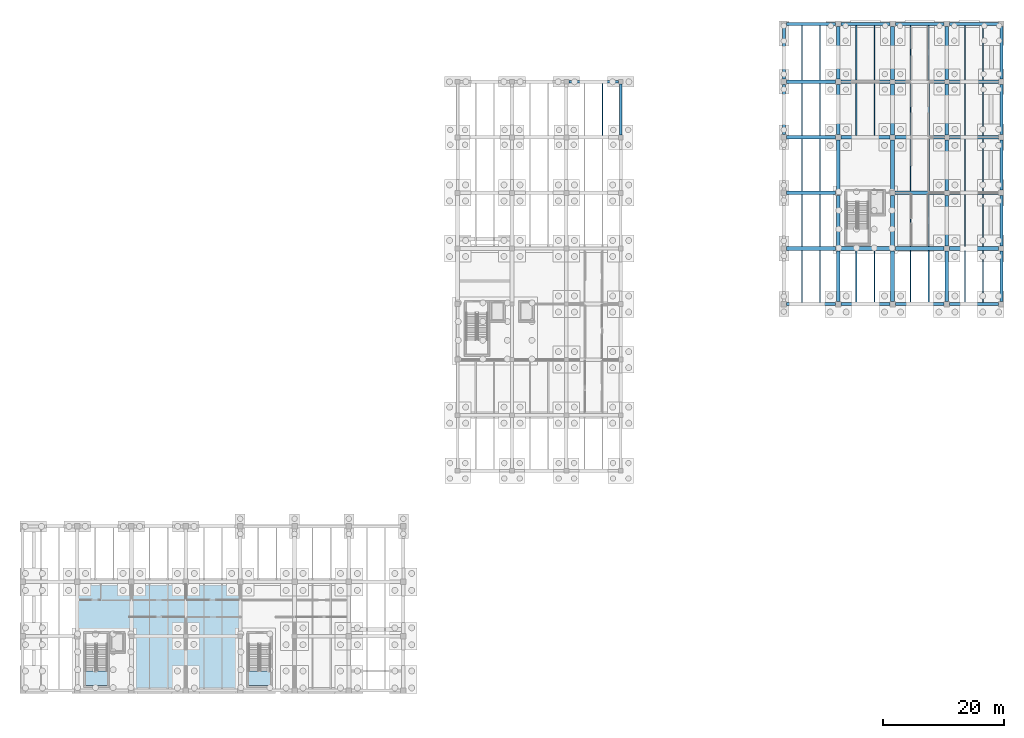
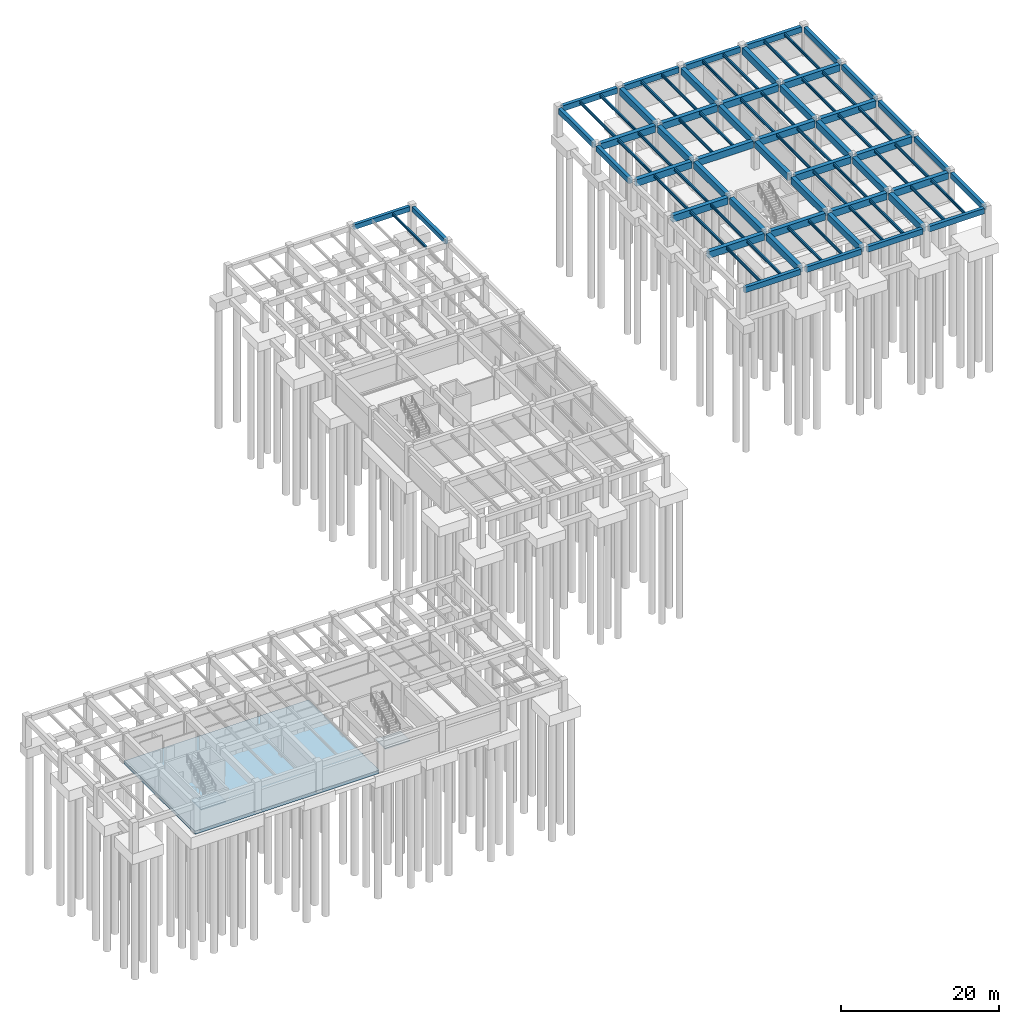
# One storey, part 7 of 16: 84 beams, 3 slabs, 2 elements without a shape of their own.
"""IFC4 building model written with IfcOpenShell, lengths in metres."""

from ifc_helpers import new_model, si_unit, direction, frame, origin, origin_2d, place, context, subcontext, project, spatial, polyline, rectangle, i_section, outline, extrude, material, layer, layer_set, material_profile, profile_set, type_object, element, aggregate, save


model = new_model("IFC4")

# Units and contexts
model_context = context("Model", 3, precision=1e-05, world=origin(), true_north=direction((0.0, 1.0)))
body_context = subcontext(model_context, "Body", "Model", "MODEL_VIEW")
ifc_project = project(units=[si_unit("LENGTHUNIT", "METRE"), si_unit("AREAUNIT", "SQUARE_METRE"), si_unit("VOLUMEUNIT", "CUBIC_METRE"), si_unit("PLANEANGLEUNIT", "RADIAN"), si_unit("MASSUNIT", "GRAM", prefix="KILO")], contexts=[model_context])

# Site, building, storey
site_placement = place(None, origin())
site = spatial("IfcSite", under=ifc_project, at=site_placement, CompositionType="ELEMENT")
building_placement = place(site_placement, origin())
building = spatial("IfcBuilding", under=site, at=building_placement, Name="Bozkorgan Art Gallery", CompositionType="ELEMENT")
storey_placement = place(building_placement, frame((0.0, 0.0, -4.800048828125)))
storey = spatial("IfcBuildingStorey", under=building, at=storey_placement, Name="B1", CompositionType="ELEMENT", Elevation=-4.800048828125)

# Beams
ifc_material_1 = material(Name="Concrete C35/45", Category="concrete")
ifc_material_profile_1 = material_profile(ifc_material_1, rectangle(XDim=0.60009765625, YDim=1.050048828125, at=origin_2d()), Name="RC 600x1050")
ifc_profile_set_1 = profile_set([ifc_material_profile_1], Name="Concrete C35/45")
beam_type_1 = type_object("IfcBeamType", Name="BEAM-BM-25", PredefinedType="BEAM", material=ifc_profile_set_1)
for number, where, z_axis, x_axis, name in (
    (1, (128.449951171875, 75.199951171875, 3.955078125), (1.0, 0.0, 0.0), (0.0, 1.0, 0.0), "V5 B1 beam X (128-137, 75.2)"),
    (2, (137.449951171875, 75.199951171875, 3.955078125), (1.0, 0.0, 0.0), (0.0, 1.0, 0.0), "V5 B1 beam X (137-146, 75.2)"),
    (3, (146.449951171875, 75.199951171875, 3.955078125), (1.0, 0.0, 0.0), (0.0, 1.0, 0.0), "V5 B1 beam X (146-155, 75.2)"),
    (4, (155.449951171875, 75.199951171875, 3.955078125), (1.0, 0.0, 0.0), (0.0, 1.0, 0.0), "V5 B1 beam X (155-164, 75.2)"),
    (5, (128.449951171875, 84.39990234375, 3.955078125), (1.0, 0.0, 0.0), (0.0, 1.0, 0.0), "V5 B1 beam X (128-137, 84.4)"),
):
    element("IfcBeam", number, at=place(storey_placement, frame(where, z_axis=z_axis, x_axis=x_axis)), inside=storey, type_object=beam_type_1, Name=name, PredefinedType="BEAM", context=body_context, shape_type="SweptSolid", body=[
        extrude(rectangle(XDim=0.60009765625, YDim=1.050048828125, at=origin_2d()), origin(), (0.0, 0.0, 1.0), 8.10009765625),
    ])
beam_1_placement = place(storey_placement, frame((146.39990234375, 84.39990234375, 3.955078125), z_axis=(1.0, 0.0, 0.0), x_axis=(0.0, 1.0, 0.0)))
element("IfcBeam", 6, at=beam_1_placement, inside=storey, type_object=beam_type_1, Name="V5 B1 beam X (146-155, 84.4)", PredefinedType="BEAM", context=body_context, shape_type="SweptSolid", body=[
    extrude(rectangle(XDim=0.60009765625, YDim=1.050048828125, at=origin_2d()), origin(), (0.0, 0.0, 1.0), 8.2001953125),
])
beam_2_placement = place(storey_placement, frame((155.39990234375, 84.39990234375, 3.955078125), z_axis=(1.0, 0.0, 0.0), x_axis=(0.0, 1.0, 0.0)))
element("IfcBeam", 7, at=beam_2_placement, inside=storey, type_object=beam_type_1, Name="V5 B1 beam X (155-164, 84.4)", PredefinedType="BEAM", context=body_context, shape_type="SweptSolid", body=[
    extrude(rectangle(XDim=0.60009765625, YDim=1.050048828125, at=origin_2d()), origin(), (0.0, 0.0, 1.0), 8.150146484375),
])
beam_3_placement = place(storey_placement, frame((128.449951171875, 93.60009765625, 3.955078125), z_axis=(1.0, 0.0, 0.0), x_axis=(0.0, 1.0, 0.0)))
element("IfcBeam", 8, at=beam_3_placement, inside=storey, type_object=beam_type_1, Name="V5 B1 beam X (128-137, 93.6)", PredefinedType="BEAM", context=body_context, shape_type="SweptSolid", body=[
    extrude(rectangle(XDim=0.60009765625, YDim=1.050048828125, at=origin_2d()), origin(), (0.0, 0.0, 1.0), 8.10009765625),
])
beam_4_placement = place(storey_placement, frame((137.449951171875, 93.60009765625, 3.955078125), z_axis=(1.0, 0.0, 0.0), x_axis=(0.0, 1.0, 0.0)))
element("IfcBeam", 9, at=beam_4_placement, inside=storey, type_object=beam_type_1, Name="V5 B1 beam X (137-146, 93.6)", PredefinedType="BEAM", context=body_context, shape_type="SweptSolid", body=[
    extrude(rectangle(XDim=0.60009765625, YDim=1.050048828125, at=origin_2d()), origin(), (0.0, 0.0, 1.0), 8.150146484375),
])
beam_5_placement = place(storey_placement, frame((146.39990234375, 93.60009765625, 3.955078125), z_axis=(1.0, 0.0, 0.0), x_axis=(0.0, 1.0, 0.0)))
element("IfcBeam", 10, at=beam_5_placement, inside=storey, type_object=beam_type_1, Name="V5 B1 beam X (146-155, 93.6)", PredefinedType="BEAM", context=body_context, shape_type="SweptSolid", body=[
    extrude(rectangle(XDim=0.60009765625, YDim=1.050048828125, at=origin_2d()), origin(), (0.0, 0.0, 1.0), 8.2001953125),
])
beam_6_placement = place(storey_placement, frame((155.39990234375, 93.60009765625, 3.955078125), z_axis=(1.0, 0.0, 0.0), x_axis=(0.0, 1.0, 0.0)))
element("IfcBeam", 11, at=beam_6_placement, inside=storey, type_object=beam_type_1, Name="V5 B1 beam X (155-164, 93.6)", PredefinedType="BEAM", context=body_context, shape_type="SweptSolid", body=[
    extrude(rectangle(XDim=0.60009765625, YDim=1.050048828125, at=origin_2d()), origin(), (0.0, 0.0, 1.0), 8.150146484375),
])
beam_7_placement = place(storey_placement, frame((128.449951171875, 102.800048828125, 3.955078125), z_axis=(1.0, 0.0, 0.0), x_axis=(0.0, 1.0, 0.0)))
element("IfcBeam", 12, at=beam_7_placement, inside=storey, type_object=beam_type_1, Name="V5 B1 beam X (128-137, 102.8)", PredefinedType="BEAM", context=body_context, shape_type="SweptSolid", body=[
    extrude(rectangle(XDim=0.60009765625, YDim=1.050048828125, at=origin_2d()), origin(), (0.0, 0.0, 1.0), 8.10009765625),
])
beam_8_placement = place(storey_placement, frame((137.449951171875, 102.800048828125, 3.955078125), z_axis=(1.0, 0.0, 0.0), x_axis=(0.0, 1.0, 0.0)))
element("IfcBeam", 13, at=beam_8_placement, inside=storey, type_object=beam_type_1, Name="V5 B1 beam X (137-146, 102.8)", PredefinedType="BEAM", context=body_context, shape_type="SweptSolid", body=[
    extrude(rectangle(XDim=0.60009765625, YDim=1.050048828125, at=origin_2d()), origin(), (0.0, 0.0, 1.0), 8.150146484375),
])
beam_9_placement = place(storey_placement, frame((146.39990234375, 102.800048828125, 3.955078125), z_axis=(1.0, 0.0, 0.0), x_axis=(0.0, 1.0, 0.0)))
element("IfcBeam", 14, at=beam_9_placement, inside=storey, type_object=beam_type_1, Name="V5 B1 beam X (146-155, 102.8)", PredefinedType="BEAM", context=body_context, shape_type="SweptSolid", body=[
    extrude(rectangle(XDim=0.60009765625, YDim=1.050048828125, at=origin_2d()), origin(), (0.0, 0.0, 1.0), 8.2001953125),
])
beam_10_placement = place(storey_placement, frame((155.39990234375, 102.800048828125, 3.955078125), z_axis=(1.0, 0.0, 0.0), x_axis=(0.0, 1.0, 0.0)))
element("IfcBeam", 15, at=beam_10_placement, inside=storey, type_object=beam_type_1, Name="V5 B1 beam X (155-164, 102.8)", PredefinedType="BEAM", context=body_context, shape_type="SweptSolid", body=[
    extrude(rectangle(XDim=0.60009765625, YDim=1.050048828125, at=origin_2d()), origin(), (0.0, 0.0, 1.0), 8.150146484375),
])
for number, where, z_axis, x_axis, name in (
    (16, (137.0, 66.449951171875, 3.955078125), (0.0, 1.0, 0.0), (-1.0, 0.0, 0.0), "V5 B1 beam Y (137, 66.0-75.2)"),
    (17, (137.0, 75.64990234375, 3.955078125), (0.0, 1.0, 0.0), (-1.0, 0.0, 0.0), "V5 B1 beam Y (137, 75.2-84.4)"),
):
    element("IfcBeam", number, at=place(storey_placement, frame(where, z_axis=z_axis, x_axis=x_axis)), inside=storey, type_object=beam_type_1, Name=name, PredefinedType="BEAM", context=body_context, shape_type="SweptSolid", body=[
        extrude(rectangle(XDim=0.60009765625, YDim=1.050048828125, at=origin_2d()), origin(), (0.0, 0.0, 1.0), 8.300048828125),
    ])
beam_11_placement = place(storey_placement, frame((137.0, 84.85009765625, 3.955078125), z_axis=(0.0, 1.0, 0.0), x_axis=(-1.0, 0.0, 0.0)))
element("IfcBeam", 18, at=beam_11_placement, inside=storey, type_object=beam_type_1, Name="V5 B1 beam Y (137, 84.4-93.6)", PredefinedType="BEAM", context=body_context, shape_type="SweptSolid", body=[
    extrude(rectangle(XDim=0.60009765625, YDim=1.050048828125, at=origin_2d()), origin(), (0.0, 0.0, 1.0), 8.2998046875),
])
beam_12_placement = place(storey_placement, frame((137.0, 94.050048828125, 3.955078125), z_axis=(0.0, 1.0, 0.0), x_axis=(-1.0, 0.0, 0.0)))
element("IfcBeam", 19, at=beam_12_placement, inside=storey, type_object=beam_type_1, Name="V5 B1 beam Y (137, 93.6-102.8)", PredefinedType="BEAM", context=body_context, shape_type="SweptSolid", body=[
    extrude(rectangle(XDim=0.60009765625, YDim=1.050048828125, at=origin_2d()), origin(), (0.0, 0.0, 1.0), 8.300048828125),
])
beam_13_placement = place(storey_placement, frame((137.0, 103.25, 3.955078125), z_axis=(0.0, 1.0, 0.0), x_axis=(-1.0, 0.0, 0.0)))
element("IfcBeam", 20, at=beam_13_placement, inside=storey, type_object=beam_type_1, Name="V5 B1 beam Y (137, 102.8-112.4)", PredefinedType="BEAM", context=body_context, shape_type="SweptSolid", body=[
    extrude(rectangle(XDim=0.60009765625, YDim=1.050048828125, at=origin_2d()), origin(), (0.0, 0.0, 1.0), 8.699951171875),
])
beam_14_placement = place(storey_placement, frame((146.0, 66.449951171875, 3.955078125), z_axis=(0.0, 1.0, 0.0), x_axis=(-1.0, 0.0, 0.0)))
element("IfcBeam", 21, at=beam_14_placement, inside=storey, type_object=beam_type_1, Name="V5 B1 beam Y (146, 66.0-75.2)", PredefinedType="BEAM", context=body_context, shape_type="SweptSolid", body=[
    extrude(rectangle(XDim=0.60009765625, YDim=1.050048828125, at=origin_2d()), origin(), (0.0, 0.0, 1.0), 8.300048828125),
])
beam_15_placement = place(storey_placement, frame((146.0, 75.64990234375, 3.955078125), z_axis=(0.0, 1.0, 0.0), x_axis=(-1.0, 0.0, 0.0)))
element("IfcBeam", 22, at=beam_15_placement, inside=storey, type_object=beam_type_1, Name="V5 B1 beam Y (146, 75.2-84.4)", PredefinedType="BEAM", context=body_context, shape_type="SweptSolid", body=[
    extrude(rectangle(XDim=0.60009765625, YDim=1.050048828125, at=origin_2d()), origin(), (0.0, 0.0, 1.0), 8.35009765625),
])
for number, where, z_axis, x_axis, name in (
    (23, (146.0, 84.800048828125, 3.955078125), (0.0, 1.0, 0.0), (-1.0, 0.0, 0.0), "V5 B1 beam Y (146, 84.4-93.6)"),
    (24, (146.0, 94.0, 3.955078125), (0.0, 1.0, 0.0), (-1.0, 0.0, 0.0), "V5 B1 beam Y (146, 93.6-102.8)"),
):
    element("IfcBeam", number, at=place(storey_placement, frame(where, z_axis=z_axis, x_axis=x_axis)), inside=storey, type_object=beam_type_1, Name=name, PredefinedType="BEAM", context=body_context, shape_type="SweptSolid", body=[
        extrude(rectangle(XDim=0.60009765625, YDim=1.050048828125, at=origin_2d()), origin(), (0.0, 0.0, 1.0), 8.39990234375),
    ])
beam_16_placement = place(storey_placement, frame((146.0, 103.199951171875, 3.955078125), z_axis=(0.0, 1.0, 0.0), x_axis=(-1.0, 0.0, 0.0)))
element("IfcBeam", 25, at=beam_16_placement, inside=storey, type_object=beam_type_1, Name="V5 B1 beam Y (146, 102.8-112.4)", PredefinedType="BEAM", context=body_context, shape_type="SweptSolid", body=[
    extrude(rectangle(XDim=0.60009765625, YDim=1.050048828125, at=origin_2d()), origin(), (0.0, 0.0, 1.0), 8.75),
])
beam_17_placement = place(storey_placement, frame((155.0, 66.449951171875, 3.955078125), z_axis=(0.0, 1.0, 0.0), x_axis=(-1.0, 0.0, 0.0)))
element("IfcBeam", 26, at=beam_17_placement, inside=storey, type_object=beam_type_1, Name="V5 B1 beam Y (155, 66.0-75.2)", PredefinedType="BEAM", context=body_context, shape_type="SweptSolid", body=[
    extrude(rectangle(XDim=0.60009765625, YDim=1.050048828125, at=origin_2d()), origin(), (0.0, 0.0, 1.0), 8.300048828125),
])
beam_18_placement = place(storey_placement, frame((155.0, 75.64990234375, 3.955078125), z_axis=(0.0, 1.0, 0.0), x_axis=(-1.0, 0.0, 0.0)))
element("IfcBeam", 27, at=beam_18_placement, inside=storey, type_object=beam_type_1, Name="V5 B1 beam Y (155, 75.2-84.4)", PredefinedType="BEAM", context=body_context, shape_type="SweptSolid", body=[
    extrude(rectangle(XDim=0.60009765625, YDim=1.050048828125, at=origin_2d()), origin(), (0.0, 0.0, 1.0), 8.35009765625),
])
for number, where, z_axis, x_axis, name in (
    (28, (155.0, 84.800048828125, 3.955078125), (0.0, 1.0, 0.0), (-1.0, 0.0, 0.0), "V5 B1 beam Y (155, 84.4-93.6)"),
    (29, (155.0, 94.0, 3.955078125), (0.0, 1.0, 0.0), (-1.0, 0.0, 0.0), "V5 B1 beam Y (155, 93.6-102.8)"),
):
    element("IfcBeam", number, at=place(storey_placement, frame(where, z_axis=z_axis, x_axis=x_axis)), inside=storey, type_object=beam_type_1, Name=name, PredefinedType="BEAM", context=body_context, shape_type="SweptSolid", body=[
        extrude(rectangle(XDim=0.60009765625, YDim=1.050048828125, at=origin_2d()), origin(), (0.0, 0.0, 1.0), 8.39990234375),
    ])
beam_19_placement = place(storey_placement, frame((155.0, 103.199951171875, 3.955078125), z_axis=(0.0, 1.0, 0.0), x_axis=(-1.0, 0.0, 0.0)))
element("IfcBeam", 30, at=beam_19_placement, inside=storey, type_object=beam_type_1, Name="V5 B1 beam Y (155, 102.8-112.4)", PredefinedType="BEAM", context=body_context, shape_type="SweptSolid", body=[
    extrude(rectangle(XDim=0.60009765625, YDim=1.050048828125, at=origin_2d()), origin(), (0.0, 0.0, 1.0), 8.75),
])
ifc_material_2 = material(Name="Steel S355J2", Category="steel")
ifc_material_profile_2 = material_profile(ifc_material_2, i_section(OverallWidth=0.18994140625, OverallDepth=0.449951171875, WebThickness=0.009521484375, FlangeThickness=0.0146484375, FilletRadius=0.02099609375, at=origin_2d()), Name="IPE 450")
ifc_profile_set_2 = profile_set([ifc_material_profile_2], Name="Steel S355J2")
beam_type_2 = type_object("IfcBeamType", Name="BEAM-JS-56", PredefinedType="JOIST", material=ifc_profile_set_2)
for number, where, z_axis, x_axis, name in (
    (31, (131.0, 66.25, 4.255126953125), (0.0, 1.0, 0.0), (-1.0, 0.0, 0.0), "V5 B1 secondary joist (128-137, 66.0-75.2) #1"),
    (32, (134.0, 66.25, 4.255126953125), (0.0, 1.0, 0.0), (-1.0, 0.0, 0.0), "V5 B1 secondary joist (128-137, 66.0-75.2) #2"),
):
    element("IfcBeam", number, at=place(storey_placement, frame(where, z_axis=z_axis, x_axis=x_axis)), inside=storey, type_object=beam_type_2, Name=name, PredefinedType="JOIST", context=body_context, shape_type="SweptSolid", body=[
        extrude(i_section(OverallWidth=0.18994140625, OverallDepth=0.449951171875, WebThickness=0.009521484375, FlangeThickness=0.0146484375, FilletRadius=0.02099609375, at=origin_2d()), origin(), (0.0, 0.0, 1.0), 8.64990234375),
    ])
for number, where, z_axis, x_axis, name in (
    (33, (131.0, 75.5, 4.255126953125), (0.0, 1.0, 0.0), (-1.0, 0.0, 0.0), "V5 B1 secondary joist (128-137, 75.2-84.4) #1"),
    (34, (134.0, 75.5, 4.255126953125), (0.0, 1.0, 0.0), (-1.0, 0.0, 0.0), "V5 B1 secondary joist (128-137, 75.2-84.4) #2"),
    (35, (131.0, 84.699951171875, 4.255126953125), (0.0, 1.0, 0.0), (-1.0, 0.0, 0.0), "V5 B1 secondary joist (128-137, 84.4-93.6) #1"),
    (36, (134.0, 84.699951171875, 4.255126953125), (0.0, 1.0, 0.0), (-1.0, 0.0, 0.0), "V5 B1 secondary joist (128-137, 84.4-93.6) #2"),
    (37, (131.0, 93.89990234375, 4.255126953125), (0.0, 1.0, 0.0), (-1.0, 0.0, 0.0), "V5 B1 secondary joist (128-137, 93.6-102.8) #1"),
    (38, (134.0, 93.89990234375, 4.255126953125), (0.0, 1.0, 0.0), (-1.0, 0.0, 0.0), "V5 B1 secondary joist (128-137, 93.6-102.8) #2"),
):
    element("IfcBeam", number, at=place(storey_placement, frame(where, z_axis=z_axis, x_axis=x_axis)), inside=storey, type_object=beam_type_2, Name=name, PredefinedType="JOIST", context=body_context, shape_type="SweptSolid", body=[
        extrude(i_section(OverallWidth=0.18994140625, OverallDepth=0.449951171875, WebThickness=0.009521484375, FlangeThickness=0.0146484375, FilletRadius=0.02099609375, at=origin_2d()), origin(), (0.0, 0.0, 1.0), 8.60009765625),
    ])
for number, where, z_axis, x_axis, name in (
    (39, (131.0, 103.10009765625, 4.255126953125), (0.0, 1.0, 0.0), (-1.0, 0.0, 0.0), "V5 B1 secondary joist (128-137, 102.8-112.4) #1"),
    (40, (134.0, 103.10009765625, 4.255126953125), (0.0, 1.0, 0.0), (-1.0, 0.0, 0.0), "V5 B1 secondary joist (128-137, 102.8-112.4) #2"),
):
    element("IfcBeam", number, at=place(storey_placement, frame(where, z_axis=z_axis, x_axis=x_axis)), inside=storey, type_object=beam_type_2, Name=name, PredefinedType="JOIST", context=body_context, shape_type="SweptSolid", body=[
        extrude(i_section(OverallWidth=0.18994140625, OverallDepth=0.449951171875, WebThickness=0.009521484375, FlangeThickness=0.0146484375, FilletRadius=0.02099609375, at=origin_2d()), origin(), (0.0, 0.0, 1.0), 9.0498046875),
    ])
for number, where, z_axis, x_axis, name in (
    (41, (140.0, 66.25, 4.255126953125), (0.0, 1.0, 0.0), (-1.0, 0.0, 0.0), "V5 B1 secondary joist (137-146, 66.0-75.2) #1"),
    (42, (143.0, 66.25, 4.255126953125), (0.0, 1.0, 0.0), (-1.0, 0.0, 0.0), "V5 B1 secondary joist (137-146, 66.0-75.2) #2"),
):
    element("IfcBeam", number, at=place(storey_placement, frame(where, z_axis=z_axis, x_axis=x_axis)), inside=storey, type_object=beam_type_2, Name=name, PredefinedType="JOIST", context=body_context, shape_type="SweptSolid", body=[
        extrude(i_section(OverallWidth=0.18994140625, OverallDepth=0.449951171875, WebThickness=0.009521484375, FlangeThickness=0.0146484375, FilletRadius=0.02099609375, at=origin_2d()), origin(), (0.0, 0.0, 1.0), 8.64990234375),
    ])
for number, where, z_axis, x_axis, name in (
    (43, (140.0, 93.89990234375, 4.255126953125), (0.0, 1.0, 0.0), (-1.0, 0.0, 0.0), "V5 B1 secondary joist (137-146, 93.6-102.8) #1"),
    (44, (143.0, 93.89990234375, 4.255126953125), (0.0, 1.0, 0.0), (-1.0, 0.0, 0.0), "V5 B1 secondary joist (137-146, 93.6-102.8) #2"),
):
    element("IfcBeam", number, at=place(storey_placement, frame(where, z_axis=z_axis, x_axis=x_axis)), inside=storey, type_object=beam_type_2, Name=name, PredefinedType="JOIST", context=body_context, shape_type="SweptSolid", body=[
        extrude(i_section(OverallWidth=0.18994140625, OverallDepth=0.449951171875, WebThickness=0.009521484375, FlangeThickness=0.0146484375, FilletRadius=0.02099609375, at=origin_2d()), origin(), (0.0, 0.0, 1.0), 8.60009765625),
    ])
for number, where, z_axis, x_axis, name in (
    (45, (140.0, 103.10009765625, 4.255126953125), (0.0, 1.0, 0.0), (-1.0, 0.0, 0.0), "V5 B1 secondary joist (137-146, 102.8-112.4) #1"),
    (46, (143.0, 103.10009765625, 4.255126953125), (0.0, 1.0, 0.0), (-1.0, 0.0, 0.0), "V5 B1 secondary joist (137-146, 102.8-112.4) #2"),
):
    element("IfcBeam", number, at=place(storey_placement, frame(where, z_axis=z_axis, x_axis=x_axis)), inside=storey, type_object=beam_type_2, Name=name, PredefinedType="JOIST", context=body_context, shape_type="SweptSolid", body=[
        extrude(i_section(OverallWidth=0.18994140625, OverallDepth=0.449951171875, WebThickness=0.009521484375, FlangeThickness=0.0146484375, FilletRadius=0.02099609375, at=origin_2d()), origin(), (0.0, 0.0, 1.0), 9.0498046875),
    ])
for number, where, z_axis, x_axis, name in (
    (47, (149.0, 66.25, 4.255126953125), (0.0, 1.0, 0.0), (-1.0, 0.0, 0.0), "V5 B1 secondary joist (146-155, 66.0-75.2) #1"),
    (48, (152.0, 66.25, 4.255126953125), (0.0, 1.0, 0.0), (-1.0, 0.0, 0.0), "V5 B1 secondary joist (146-155, 66.0-75.2) #2"),
):
    element("IfcBeam", number, at=place(storey_placement, frame(where, z_axis=z_axis, x_axis=x_axis)), inside=storey, type_object=beam_type_2, Name=name, PredefinedType="JOIST", context=body_context, shape_type="SweptSolid", body=[
        extrude(i_section(OverallWidth=0.18994140625, OverallDepth=0.449951171875, WebThickness=0.009521484375, FlangeThickness=0.0146484375, FilletRadius=0.02099609375, at=origin_2d()), origin(), (0.0, 0.0, 1.0), 8.64990234375),
    ])
for number, where, z_axis, x_axis, name in (
    (49, (149.0, 75.5, 4.255126953125), (0.0, 1.0, 0.0), (-1.0, 0.0, 0.0), "V5 B1 secondary joist (146-155, 75.2-84.4) #1"),
    (50, (152.0, 75.5, 4.255126953125), (0.0, 1.0, 0.0), (-1.0, 0.0, 0.0), "V5 B1 secondary joist (146-155, 75.2-84.4) #2"),
    (51, (149.0, 84.699951171875, 4.255126953125), (0.0, 1.0, 0.0), (-1.0, 0.0, 0.0), "V5 B1 secondary joist (146-155, 84.4-93.6) #1"),
    (52, (152.0, 84.699951171875, 4.255126953125), (0.0, 1.0, 0.0), (-1.0, 0.0, 0.0), "V5 B1 secondary joist (146-155, 84.4-93.6) #2"),
    (53, (149.0, 93.89990234375, 4.255126953125), (0.0, 1.0, 0.0), (-1.0, 0.0, 0.0), "V5 B1 secondary joist (146-155, 93.6-102.8) #1"),
    (54, (152.0, 93.89990234375, 4.255126953125), (0.0, 1.0, 0.0), (-1.0, 0.0, 0.0), "V5 B1 secondary joist (146-155, 93.6-102.8) #2"),
):
    element("IfcBeam", number, at=place(storey_placement, frame(where, z_axis=z_axis, x_axis=x_axis)), inside=storey, type_object=beam_type_2, Name=name, PredefinedType="JOIST", context=body_context, shape_type="SweptSolid", body=[
        extrude(i_section(OverallWidth=0.18994140625, OverallDepth=0.449951171875, WebThickness=0.009521484375, FlangeThickness=0.0146484375, FilletRadius=0.02099609375, at=origin_2d()), origin(), (0.0, 0.0, 1.0), 8.60009765625),
    ])
for number, where, z_axis, x_axis, name in (
    (55, (149.0, 103.10009765625, 4.255126953125), (0.0, 1.0, 0.0), (-1.0, 0.0, 0.0), "V5 B1 secondary joist (146-155, 102.8-112.4) #1"),
    (56, (152.0, 103.10009765625, 4.255126953125), (0.0, 1.0, 0.0), (-1.0, 0.0, 0.0), "V5 B1 secondary joist (146-155, 102.8-112.4) #2"),
):
    element("IfcBeam", number, at=place(storey_placement, frame(where, z_axis=z_axis, x_axis=x_axis)), inside=storey, type_object=beam_type_2, Name=name, PredefinedType="JOIST", context=body_context, shape_type="SweptSolid", body=[
        extrude(i_section(OverallWidth=0.18994140625, OverallDepth=0.449951171875, WebThickness=0.009521484375, FlangeThickness=0.0146484375, FilletRadius=0.02099609375, at=origin_2d()), origin(), (0.0, 0.0, 1.0), 9.0498046875),
    ])
for number, where, z_axis, x_axis, name in (
    (57, (158.0, 66.25, 4.255126953125), (0.0, 1.0, 0.0), (-1.0, 0.0, 0.0), "V5 B1 secondary joist (155-164, 66.0-75.2) #1"),
    (58, (161.0, 66.25, 4.255126953125), (0.0, 1.0, 0.0), (-1.0, 0.0, 0.0), "V5 B1 secondary joist (155-164, 66.0-75.2) #2"),
):
    element("IfcBeam", number, at=place(storey_placement, frame(where, z_axis=z_axis, x_axis=x_axis)), inside=storey, type_object=beam_type_2, Name=name, PredefinedType="JOIST", context=body_context, shape_type="SweptSolid", body=[
        extrude(i_section(OverallWidth=0.18994140625, OverallDepth=0.449951171875, WebThickness=0.009521484375, FlangeThickness=0.0146484375, FilletRadius=0.02099609375, at=origin_2d()), origin(), (0.0, 0.0, 1.0), 8.64990234375),
    ])
for number, where, z_axis, x_axis, name in (
    (59, (158.0, 75.5, 4.255126953125), (0.0, 1.0, 0.0), (-1.0, 0.0, 0.0), "V5 B1 secondary joist (155-164, 75.2-84.4) #1"),
    (60, (161.0, 75.5, 4.255126953125), (0.0, 1.0, 0.0), (-1.0, 0.0, 0.0), "V5 B1 secondary joist (155-164, 75.2-84.4) #2"),
    (61, (158.0, 84.699951171875, 4.255126953125), (0.0, 1.0, 0.0), (-1.0, 0.0, 0.0), "V5 B1 secondary joist (155-164, 84.4-93.6) #1"),
    (62, (161.0, 84.699951171875, 4.255126953125), (0.0, 1.0, 0.0), (-1.0, 0.0, 0.0), "V5 B1 secondary joist (155-164, 84.4-93.6) #2"),
    (63, (158.0, 93.89990234375, 4.255126953125), (0.0, 1.0, 0.0), (-1.0, 0.0, 0.0), "V5 B1 secondary joist (155-164, 93.6-102.8) #1"),
    (64, (161.0, 93.89990234375, 4.255126953125), (0.0, 1.0, 0.0), (-1.0, 0.0, 0.0), "V5 B1 secondary joist (155-164, 93.6-102.8) #2"),
):
    element("IfcBeam", number, at=place(storey_placement, frame(where, z_axis=z_axis, x_axis=x_axis)), inside=storey, type_object=beam_type_2, Name=name, PredefinedType="JOIST", context=body_context, shape_type="SweptSolid", body=[
        extrude(i_section(OverallWidth=0.18994140625, OverallDepth=0.449951171875, WebThickness=0.009521484375, FlangeThickness=0.0146484375, FilletRadius=0.02099609375, at=origin_2d()), origin(), (0.0, 0.0, 1.0), 8.60009765625),
    ])
for number, where, z_axis, x_axis, name in (
    (65, (158.0, 103.10009765625, 4.255126953125), (0.0, 1.0, 0.0), (-1.0, 0.0, 0.0), "V5 B1 secondary joist (155-164, 102.8-112.4) #1"),
    (66, (161.0, 103.10009765625, 4.255126953125), (0.0, 1.0, 0.0), (-1.0, 0.0, 0.0), "V5 B1 secondary joist (155-164, 102.8-112.4) #2"),
):
    element("IfcBeam", number, at=place(storey_placement, frame(where, z_axis=z_axis, x_axis=x_axis)), inside=storey, type_object=beam_type_2, Name=name, PredefinedType="JOIST", context=body_context, shape_type="SweptSolid", body=[
        extrude(i_section(OverallWidth=0.18994140625, OverallDepth=0.449951171875, WebThickness=0.009521484375, FlangeThickness=0.0146484375, FilletRadius=0.02099609375, at=origin_2d()), origin(), (0.0, 0.0, 1.0), 9.0498046875),
    ])
ifc_material_profile_3 = material_profile(ifc_material_2, i_section(OverallWidth=0.179931640625, OverallDepth=0.39990234375, WebThickness=0.008544921875, FlangeThickness=0.013427734375, FilletRadius=0.02099609375, at=origin_2d()), Name="IPE 400")
ifc_profile_set_3 = profile_set([ifc_material_profile_3], Name="Steel S355J2")
beam_type_3 = type_object("IfcBeamType", Name="BEAM-JS-83", PredefinedType="JOIST", material=ifc_profile_set_3)
beam_20_placement = place(storey_placement, frame((98.0, 93.875, 4.280029296875), z_axis=(0.0, 1.0, 0.0), x_axis=(-1.0, 0.0, 0.0)))
element("IfcBeam", 67, at=beam_20_placement, inside=storey, type_object=beam_type_3, Name="V4 B1 secondary joist (92-101, 93.6-102.8) #2", PredefinedType="JOIST", context=body_context, shape_type="SweptSolid", body=[
    extrude(i_section(OverallWidth=0.179931640625, OverallDepth=0.39990234375, WebThickness=0.008544921875, FlangeThickness=0.013427734375, FilletRadius=0.02099609375, at=origin_2d()), origin(), (0.0, 0.0, 1.0), 8.699951171875),
])
ifc_material_profile_4 = material_profile(ifc_material_1, rectangle(XDim=0.449951171875, YDim=0.75, at=origin_2d()), Name="RC 450x750")
ifc_profile_set_4 = profile_set([ifc_material_profile_4], Name="Concrete C35/45")
beam_type_4 = type_object("IfcBeamType", Name="BEAM-SP-27", PredefinedType="SPANDREL", material=ifc_profile_set_4)
beam_21_placement = place(storey_placement, frame((92.39990234375, 102.800048828125, 4.10498046875), z_axis=(1.0, 0.0, 0.0), x_axis=(0.0, 1.0, 0.0)))
element("IfcBeam", 68, at=beam_21_placement, inside=storey, type_object=beam_type_4, Name="V4 B1 spandrel X (92-101, 102.8)", PredefinedType="SPANDREL", context=body_context, shape_type="SweptSolid", body=[
    extrude(rectangle(XDim=0.449951171875, YDim=0.75, at=origin_2d()), origin(), (0.0, 0.0, 1.0), 8.2001953125),
])
beam_22_placement = place(storey_placement, frame((101.0, 94.0, 4.10498046875), z_axis=(0.0, 1.0, 0.0), x_axis=(-1.0, 0.0, 0.0)))
element("IfcBeam", 69, at=beam_22_placement, inside=storey, type_object=beam_type_4, Name="V4 B1 spandrel Y (101, 93.6-102.8)", PredefinedType="SPANDREL", context=body_context, shape_type="SweptSolid", body=[
    extrude(rectangle(XDim=0.449951171875, YDim=0.75, at=origin_2d()), origin(), (0.0, 0.0, 1.0), 8.39990234375),
])
ifc_material_profile_5 = material_profile(ifc_material_1, rectangle(XDim=0.5, YDim=0.85009765625, at=origin_2d()), Name="RC 500x850")
ifc_profile_set_5 = profile_set([ifc_material_profile_5], Name="Concrete C35/45")
beam_type_5 = type_object("IfcBeamType", Name="BEAM-SP-30", PredefinedType="SPANDREL", material=ifc_profile_set_5)
for number, where, z_axis, x_axis, name in (
    (70, (128.449951171875, 66.0, 4.054931640625), (1.0, 0.0, 0.0), (0.0, 1.0, 0.0), "V5 B1 spandrel X (128-137, 66.0)"),
    (71, (137.449951171875, 66.0, 4.054931640625), (1.0, 0.0, 0.0), (0.0, 1.0, 0.0), "V5 B1 spandrel X (137-146, 66.0)"),
    (72, (146.449951171875, 66.0, 4.054931640625), (1.0, 0.0, 0.0), (0.0, 1.0, 0.0), "V5 B1 spandrel X (146-155, 66.0)"),
    (73, (155.449951171875, 66.0, 4.054931640625), (1.0, 0.0, 0.0), (0.0, 1.0, 0.0), "V5 B1 spandrel X (155-164, 66.0)"),
    (74, (128.449951171875, 112.39990234375, 4.054931640625), (1.0, 0.0, 0.0), (0.0, 1.0, 0.0), "V5 B1 spandrel X (128-137, 112.4)"),
    (75, (137.449951171875, 112.39990234375, 4.054931640625), (1.0, 0.0, 0.0), (0.0, 1.0, 0.0), "V5 B1 spandrel X (137-146, 112.4)"),
    (76, (146.449951171875, 112.39990234375, 4.054931640625), (1.0, 0.0, 0.0), (0.0, 1.0, 0.0), "V5 B1 spandrel X (146-155, 112.4)"),
    (77, (155.449951171875, 112.39990234375, 4.054931640625), (1.0, 0.0, 0.0), (0.0, 1.0, 0.0), "V5 B1 spandrel X (155-164, 112.4)"),
):
    element("IfcBeam", number, at=place(storey_placement, frame(where, z_axis=z_axis, x_axis=x_axis)), inside=storey, type_object=beam_type_5, Name=name, PredefinedType="SPANDREL", context=body_context, shape_type="SweptSolid", body=[
        extrude(rectangle(XDim=0.5, YDim=0.85009765625, at=origin_2d()), origin(), (0.0, 0.0, 1.0), 8.10009765625),
    ])
beam_23_placement = place(storey_placement, frame((128.0, 94.050048828125, 4.054931640625), z_axis=(0.0, 1.0, 0.0), x_axis=(-1.0, 0.0, 0.0)))
element("IfcBeam", 78, at=beam_23_placement, inside=storey, type_object=beam_type_5, Name="V5 B1 spandrel Y (128, 93.6-102.8)", PredefinedType="SPANDREL", context=body_context, shape_type="SweptSolid", body=[
    extrude(rectangle(XDim=0.5, YDim=0.85009765625, at=origin_2d()), origin(), (0.0, 0.0, 1.0), 8.300048828125),
])
beam_24_placement = place(storey_placement, frame((128.0, 103.25, 4.054931640625), z_axis=(0.0, 1.0, 0.0), x_axis=(-1.0, 0.0, 0.0)))
element("IfcBeam", 79, at=beam_24_placement, inside=storey, type_object=beam_type_5, Name="V5 B1 spandrel Y (128, 102.8-112.4)", PredefinedType="SPANDREL", context=body_context, shape_type="SweptSolid", body=[
    extrude(rectangle(XDim=0.5, YDim=0.85009765625, at=origin_2d()), origin(), (0.0, 0.0, 1.0), 8.699951171875),
])
for number, where, z_axis, x_axis, name in (
    (80, (164.0, 66.449951171875, 4.054931640625), (0.0, 1.0, 0.0), (-1.0, 0.0, 0.0), "V5 B1 spandrel Y (164, 66.0-75.2)"),
    (81, (164.0, 75.64990234375, 4.054931640625), (0.0, 1.0, 0.0), (-1.0, 0.0, 0.0), "V5 B1 spandrel Y (164, 75.2-84.4)"),
):
    element("IfcBeam", number, at=place(storey_placement, frame(where, z_axis=z_axis, x_axis=x_axis)), inside=storey, type_object=beam_type_5, Name=name, PredefinedType="SPANDREL", context=body_context, shape_type="SweptSolid", body=[
        extrude(rectangle(XDim=0.5, YDim=0.85009765625, at=origin_2d()), origin(), (0.0, 0.0, 1.0), 8.300048828125),
    ])
beam_25_placement = place(storey_placement, frame((164.0, 84.85009765625, 4.054931640625), z_axis=(0.0, 1.0, 0.0), x_axis=(-1.0, 0.0, 0.0)))
element("IfcBeam", 82, at=beam_25_placement, inside=storey, type_object=beam_type_5, Name="V5 B1 spandrel Y (164, 84.4-93.6)", PredefinedType="SPANDREL", context=body_context, shape_type="SweptSolid", body=[
    extrude(rectangle(XDim=0.5, YDim=0.85009765625, at=origin_2d()), origin(), (0.0, 0.0, 1.0), 8.2998046875),
])
beam_26_placement = place(storey_placement, frame((164.0, 94.050048828125, 4.054931640625), z_axis=(0.0, 1.0, 0.0), x_axis=(-1.0, 0.0, 0.0)))
element("IfcBeam", 83, at=beam_26_placement, inside=storey, type_object=beam_type_5, Name="V5 B1 spandrel Y (164, 93.6-102.8)", PredefinedType="SPANDREL", context=body_context, shape_type="SweptSolid", body=[
    extrude(rectangle(XDim=0.5, YDim=0.85009765625, at=origin_2d()), origin(), (0.0, 0.0, 1.0), 8.300048828125),
])
beam_27_placement = place(storey_placement, frame((164.0, 103.25, 4.054931640625), z_axis=(0.0, 1.0, 0.0), x_axis=(-1.0, 0.0, 0.0)))
element("IfcBeam", 84, at=beam_27_placement, inside=storey, type_object=beam_type_5, Name="V5 B1 spandrel Y (164, 102.8-112.4)", PredefinedType="SPANDREL", context=body_context, shape_type="SweptSolid", body=[
    extrude(rectangle(XDim=0.5, YDim=0.85009765625, at=origin_2d()), origin(), (0.0, 0.0, 1.0), 8.699951171875),
])

# Stair, slab
stair_type_1 = type_object("IfcStairType", Name="STAIR-CORE1", PredefinedType="HALF_TURN_STAIR", material=ifc_material_1)
stair_1_placement = place(storey_placement, origin())
stair_1 = element("IfcStair", 85, at=stair_1_placement, inside=storey, type_object=stair_type_1, Name="B1 ST1 Core Stair", PredefinedType="HALF_TURN_STAIR")
ifc_layer_1 = layer(ifc_material_1, 0.25, Name="Concrete C35/45")
ifc_layer_set_1 = layer_set([ifc_layer_1], Name="Concrete C35/45")
slab_type_1 = type_object("IfcSlabType", Name="LAND-CORE1", PredefinedType="LANDING", material=ifc_layer_set_1)
slab_1_placement = place(storey_placement, frame((0.0, 0.0, 2.199951171875)))
slab_1 = element("IfcSlab", 86, at=slab_1_placement, type_object=slab_type_1, Name="ST1 landing 1", PredefinedType="LANDING", context=body_context, shape_type="SweptSolid", body=[
    extrude(outline(polyline([(12.39990234375, 5.25), (12.39990234375, 2.85009765625), (16.0, 2.85009765625), (16.0, 5.25), (12.39990234375, 5.25)])), origin(), (0.0, 0.0, 1.0), 0.2001953125),
])
aggregate(stair_1, [slab_1])

stair_type_2 = type_object("IfcStairType", Name="STAIR-CORE7", PredefinedType="HALF_TURN_STAIR", material=ifc_material_1)
stair_2_placement = place(storey_placement, origin())
stair_2 = element("IfcStair", 87, at=stair_2_placement, inside=storey, type_object=stair_type_2, Name="B1 ST12 Core Stair", PredefinedType="HALF_TURN_STAIR")
ifc_layer_2 = layer(ifc_material_1, 0.25, Name="Concrete C35/45")
ifc_layer_set_2 = layer_set([ifc_layer_2], Name="Concrete C35/45")
slab_type_2 = type_object("IfcSlabType", Name="LAND-CORE7", PredefinedType="LANDING", material=ifc_layer_set_2)
slab_2_placement = place(storey_placement, frame((0.0, 0.0, 2.199951171875)))
slab_2 = element("IfcSlab", 88, at=slab_2_placement, type_object=slab_type_2, Name="ST12 landing 1", PredefinedType="LANDING", context=body_context, shape_type="SweptSolid", body=[
    extrude(outline(polyline([(39.39990234375, 5.25), (39.39990234375, 2.85009765625), (43.0, 2.85009765625), (43.0, 5.25), (39.39990234375, 5.25)])), origin(), (0.0, 0.0, 1.0), 0.2001953125),
])
aggregate(stair_2, [slab_2])

# Slab
ifc_layer_3 = layer(ifc_material_1, 0.5, Name="Concrete C35/45")
ifc_layer_set_3 = layer_set([ifc_layer_3], Name="Concrete C35/45")
slab_type_3 = type_object("IfcSlabType", Name="SLAB-BS-48", PredefinedType="BASESLAB", material=ifc_layer_set_3)
slab_3_placement = place(storey_placement, frame((0.0, 0.0, -0.5)))
element("IfcSlab", 89, at=slab_3_placement, inside=storey, type_object=slab_type_3, Name="V1 B1 base slab 1.1", PredefinedType="BASESLAB", context=body_context, shape_type="SweptSolid", body=[
    extrude(outline(polyline([(11.0, 2.0), (38.0, 2.0), (38.0, 20.0), (11.0, 20.0), (11.0, 2.0)])), origin(), (0.0, 0.0, 1.0), 0.5),
])

save(model, "model.ifc")
